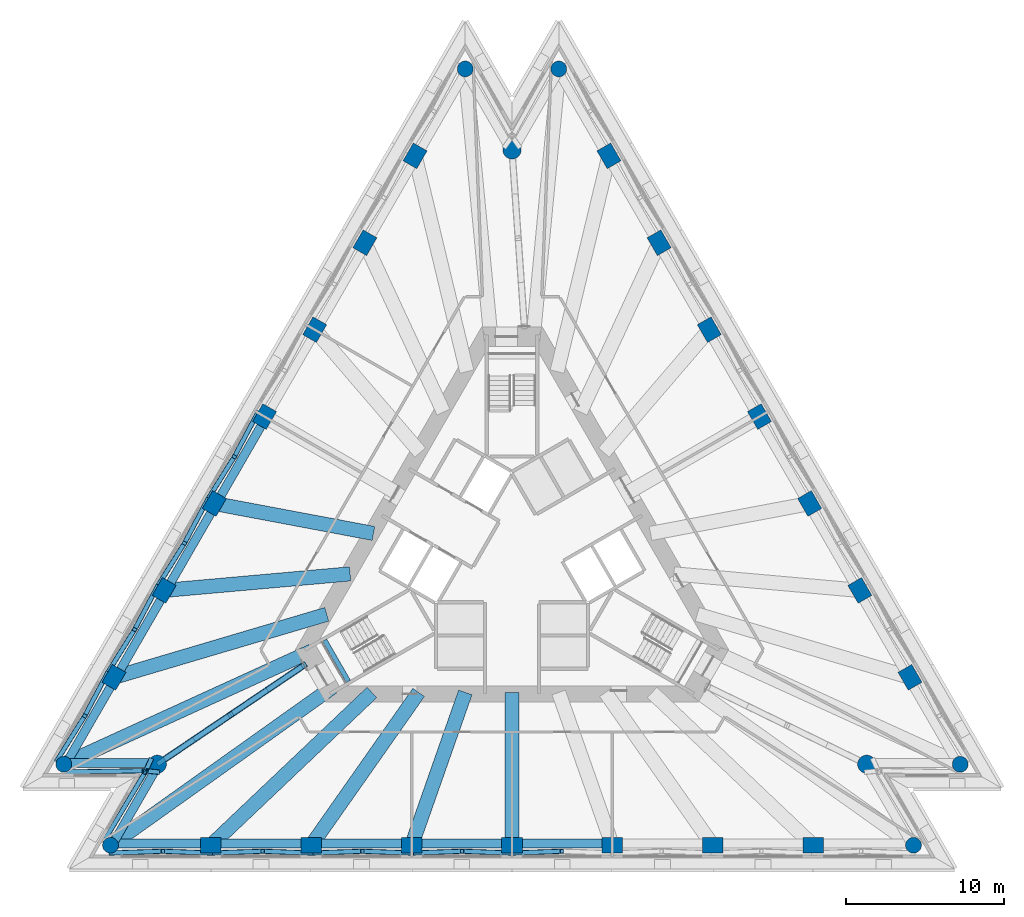
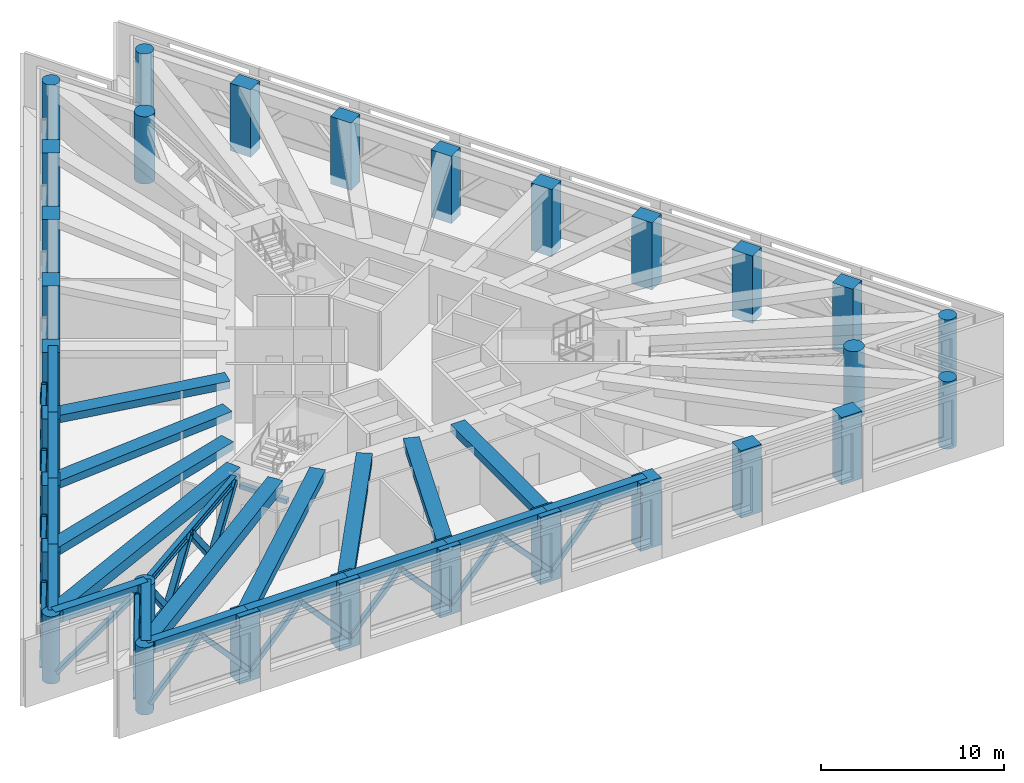
# One storey, part 1 of 12: 30 columns, 27 members, 21 beams.
"""IFC4 building model written with IfcOpenShell, lengths in metres."""

from ifc_helpers import new_model, si_unit, direction, frame, origin, origin_2d, place, context, subcontext, project, spatial, rectangle, hollow_rectangle, circle, i_section, extrude, material, material_profile, profile_set, type_object, element, save


model = new_model("IFC4")

# Units and contexts
model_context = context("Model", 3, precision=1e-05, world=origin(), true_north=direction((0.0, 1.0)))
body_context = subcontext(model_context, "Body", "Model", "MODEL_VIEW")
ifc_project = project(units=[si_unit("LENGTHUNIT", "METRE"), si_unit("AREAUNIT", "SQUARE_METRE"), si_unit("VOLUMEUNIT", "CUBIC_METRE"), si_unit("PLANEANGLEUNIT", "RADIAN"), si_unit("MASSUNIT", "GRAM", prefix="KILO")], contexts=[model_context])

# Site, building, storey
site_placement = place(None, origin())
site = spatial("IfcSite", under=ifc_project, at=site_placement, CompositionType="ELEMENT")
building_placement = place(site_placement, origin())
building = spatial("IfcBuilding", under=site, at=building_placement, Name="Triada Interchange Tower", CompositionType="ELEMENT")
storey_placement = place(building_placement, frame((0.0, 0.0, 180.800048828125)))
storey = spatial("IfcBuildingStorey", under=building, at=storey_placement, Name="L42", CompositionType="ELEMENT", Elevation=180.800048828125)

# Columns
ifc_material_1 = material(Name="Concrete C60/75", Category="concrete")
ifc_material_profile_1 = material_profile(ifc_material_1, rectangle(XDim=1.300048828125, YDim=1.0, at=origin_2d()), Name="RC 1300x1000")
ifc_profile_set_1 = profile_set([ifc_material_profile_1], Name="Concrete C60/75")
column_type_1 = type_object("IfcColumnType", Name="Column B face RC 1300x1000", PredefinedType="COLUMN", material=ifc_profile_set_1)
for number, where, z_axis, x_axis, name in (
    (1, (-6.1240234375, 25.4951171875, -0.60009765625), (0.0, 0.0, 1.0), (0.5, 0.866025403784, 0.0), "Column CB02 L42"),
    (2, (-9.29296875, 20.0048828125, -0.60009765625), (0.0, 0.0, 1.0), (0.5, 0.866025403784, 0.0), "Column CB03 L42"),
    (3, (-12.462890625, 14.514892578125, -0.60009765625), (0.0, 0.0, 1.0), (0.5, 0.866025403784, 0.0), "Column CB04 L42"),
    (4, (-15.632080078125, 9.02587890625, -0.60009765625), (0.0, 0.0, 1.0), (0.5, 0.866025403784, 0.0), "Column CB05 L42"),
    (5, (-18.802001953125, 3.535888671875, -0.60009765625), (0.0, 0.0, 1.0), (0.5, 0.866025403784, 0.0), "Column CB06 L42"),
    (6, (-21.971923828125, -1.9541015625, -0.60009765625), (0.0, 0.0, 1.0), (0.5, 0.866025403784, 0.0), "Column CB07 L42"),
    (7, (-25.14111328125, -7.444091796875, -0.60009765625), (0.0, 0.0, 1.0), (0.5, 0.866025403784, 0.0), "Column CB08 L42"),
    (8, (-19.01806640625, -18.051025390625, -0.60009765625), (0.0, 0.0, 1.0), (1.0, 0.0, 0.0), "Column CB11 L42"),
    (9, (-12.677978515625, -18.051025390625, -0.60009765625), (0.0, 0.0, 1.0), (1.0, 0.0, 0.0), "Column CB12 L42"),
    (10, (-6.339111328125, -18.051025390625, -0.60009765625), (0.0, 0.0, 1.0), (1.0, 0.0, 0.0), "Column CB13 L42"),
    (11, (0.0, -18.051025390625, -0.60009765625), (0.0, 0.0, 1.0), (1.0, 0.0, 0.0), "Column CB14 L42"),
    (12, (6.339111328125, -18.051025390625, -0.60009765625), (0.0, 0.0, 1.0), (1.0, 0.0, 0.0), "Column CB15 L42"),
    (13, (12.677978515625, -18.051025390625, -0.60009765625), (0.0, 0.0, 1.0), (1.0, 0.0, 0.0), "Column CB16 L42"),
    (14, (19.01806640625, -18.051025390625, -0.60009765625), (0.0, 0.0, 1.0), (1.0, 0.0, 0.0), "Column CB17 L42"),
    (15, (25.14111328125, -7.444091796875, -0.60009765625), (0.0, 0.0, 1.0), (-0.5, 0.866025403784, 0.0), "Column CB20 L42"),
    (16, (21.971923828125, -1.9541015625, -0.60009765625), (0.0, 0.0, 1.0), (-0.5, 0.866025403784, 0.0), "Column CB21 L42"),
    (17, (18.802001953125, 3.535888671875, -0.60009765625), (0.0, 0.0, 1.0), (-0.5, 0.866025403784, 0.0), "Column CB22 L42"),
    (18, (15.632080078125, 9.02587890625, -0.60009765625), (0.0, 0.0, 1.0), (-0.5, 0.866025403784, 0.0), "Column CB23 L42"),
    (19, (12.462890625, 14.514892578125, -0.60009765625), (0.0, 0.0, 1.0), (-0.5, 0.866025403784, 0.0), "Column CB24 L42"),
    (20, (9.29296875, 20.0048828125, -0.60009765625), (0.0, 0.0, 1.0), (-0.5, 0.866025403784, 0.0), "Column CB25 L42"),
    (21, (6.1240234375, 25.4951171875, -0.60009765625), (0.0, 0.0, 1.0), (-0.5, 0.866025403784, 0.0), "Column CB26 L42"),
):
    element("IfcColumn", number, at=place(storey_placement, frame(where, z_axis=z_axis, x_axis=x_axis)), inside=storey, type_object=column_type_1, Name=name, PredefinedType="COLUMN", context=body_context, shape_type="SweptSolid", body=[
        extrude(rectangle(XDim=1.300048828125, YDim=1.0, at=origin_2d()), origin(), (0.0, 0.0, 1.0), 4.5),
    ])
ifc_material_profile_2 = material_profile(ifc_material_1, circle(Radius=0.5, at=origin_2d()), Name="RC D1000")
ifc_profile_set_2 = profile_set([ifc_material_profile_2], Name="Concrete C60/75")
column_type_2 = type_object("IfcColumnType", Name="End column B RC D1000", PredefinedType="COLUMN", material=ifc_profile_set_2)
for number, where, z_axis, x_axis, name in (
    (22, (-2.9541015625, 30.985107421875, -0.60009765625), (0.0, 0.0, 1.0), (0.5, 0.866025403784, 0.0), "Column CB01 L42"),
    (23, (-28.31103515625, -12.93408203125, -0.60009765625), (0.0, 0.0, 1.0), (0.5, 0.866025403784, 0.0), "Column CB09 L42"),
    (24, (-25.35693359375, -18.051025390625, -0.60009765625), (0.0, 0.0, 1.0), (1.0, 0.0, 0.0), "Column CB10 L42"),
    (25, (25.35693359375, -18.051025390625, -0.60009765625), (0.0, 0.0, 1.0), (1.0, 0.0, 0.0), "Column CB18 L42"),
    (26, (28.31103515625, -12.93408203125, -0.60009765625), (0.0, 0.0, 1.0), (-0.5, 0.866025403784, 0.0), "Column CB19 L42"),
    (27, (2.9541015625, 30.985107421875, -0.60009765625), (0.0, 0.0, 1.0), (-0.5, 0.866025403784, 0.0), "Column CB27 L42"),
):
    element("IfcColumn", number, at=place(storey_placement, frame(where, z_axis=z_axis, x_axis=x_axis)), inside=storey, type_object=column_type_2, Name=name, PredefinedType="COLUMN", context=body_context, shape_type="SweptSolid", body=[
        extrude(circle(Radius=0.5, at=origin_2d()), origin(), (0.0, 0.0, 1.0), 4.5),
    ])
ifc_material_profile_3 = material_profile(ifc_material_1, circle(Radius=0.574951171875, at=origin_2d()), Name="RC D1150")
ifc_profile_set_3 = profile_set([ifc_material_profile_3], Name="Concrete C60/75")
column_type_3 = type_object("IfcColumnType", Name="Mega column B RC D1150", PredefinedType="COLUMN", material=ifc_profile_set_3)
for number, where, z_axis, x_axis, name in (
    (28, (0.0, 25.867919921875, -0.60009765625), (0.0, 0.0, 1.0), (1.0, 0.0, 0.0), "Column MB1 L42"),
    (29, (-22.403076171875, -12.93408203125, -0.60009765625), (0.0, 0.0, 1.0), (1.0, 0.0, 0.0), "Column MB2 L42"),
    (30, (22.403076171875, -12.93408203125, -0.60009765625), (0.0, 0.0, 1.0), (1.0, 0.0, 0.0), "Column MB3 L42"),
):
    element("IfcColumn", number, at=place(storey_placement, frame(where, z_axis=z_axis, x_axis=x_axis)), inside=storey, type_object=column_type_3, Name=name, PredefinedType="COLUMN", context=body_context, shape_type="SweptSolid", body=[
        extrude(circle(Radius=0.574951171875, at=origin_2d()), origin(), (0.0, 0.0, 1.0), 4.5),
    ])

# Members
ifc_material_2 = material(Name="Steel S355", Category="steel")
ifc_material_profile_4 = material_profile(ifc_material_2, hollow_rectangle(XDim=0.300048828125, YDim=0.300048828125, WallThickness=0.01611328125, InnerFilletRadius=0.01611328125, OuterFilletRadius=0.02392578125, at=origin_2d()), Name="RHS 300x300x16")
ifc_profile_set_4 = profile_set([ifc_material_profile_4], Name="Steel S355")
member_type_1 = type_object("IfcMemberType", Name="Belt truss diagonal RHS 300x300x16", PredefinedType="BRACE", material=ifc_profile_set_4)
member_1_placement = place(storey_placement, frame((-16.055908203125, 9.27099609375, 0.14990234375), z_axis=(-0.321985252002, -0.604962895595, 0.7282481668), x_axis=(0.882753493698, -0.469836428307, 0.0)))
element("IfcMember", 31, at=member_1_placement, inside=storey, type_object=member_type_1, Name="Belt truss diagonal 009 L42", PredefinedType="BRACE", context=body_context, shape_type="SweptSolid", body=[
    extrude(hollow_rectangle(XDim=0.300048828125, YDim=0.300048828125, WallThickness=0.01611328125, InnerFilletRadius=0.01611328125, OuterFilletRadius=0.02392578125, at=origin_2d()), origin(), (0.0, 0.0, 1.0), 4.60009765625),
])
member_2_placement = place(storey_placement, frame((-19.22607421875, 3.781005859375, 0.14990234375), z_axis=(0.36506939314, 0.585124231155, 0.724122898621), x_axis=(-0.848410718151, 0.529338505426, 0.0)))
element("IfcMember", 32, at=member_2_placement, inside=storey, type_object=member_type_1, Name="Belt truss diagonal 010 L42", PredefinedType="BRACE", context=body_context, shape_type="SweptSolid", body=[
    extrude(hollow_rectangle(XDim=0.300048828125, YDim=0.300048828125, WallThickness=0.01611328125, InnerFilletRadius=0.01611328125, OuterFilletRadius=0.02392578125, at=origin_2d()), origin(), (0.0, 0.0, 1.0), 4.62646484375),
])
member_3_placement = place(storey_placement, frame((-19.22607421875, 3.781005859375, 0.14990234375), z_axis=(-0.319411738601, -0.601245625602, 0.732447840422), x_axis=(0.883115719457, -0.469155225962, 0.0)))
element("IfcMember", 33, at=member_3_placement, inside=storey, type_object=member_type_1, Name="Belt truss diagonal 011 L42", PredefinedType="BRACE", context=body_context, shape_type="SweptSolid", body=[
    extrude(hollow_rectangle(XDim=0.300048828125, YDim=0.300048828125, WallThickness=0.01611328125, InnerFilletRadius=0.01611328125, OuterFilletRadius=0.02392578125, at=origin_2d()), origin(), (0.0, 0.0, 1.0), 4.57373046875),
])
member_4_placement = place(storey_placement, frame((-22.39599609375, -1.708984375, 0.14990234375), z_axis=(0.367278764267, 0.58885279591, 0.719971314753), x_axis=(-0.848486386736, 0.529217206375, 0.0)))
element("IfcMember", 34, at=member_4_placement, inside=storey, type_object=member_type_1, Name="Belt truss diagonal 012 L42", PredefinedType="BRACE", context=body_context, shape_type="SweptSolid", body=[
    extrude(hollow_rectangle(XDim=0.300048828125, YDim=0.300048828125, WallThickness=0.01611328125, InnerFilletRadius=0.01611328125, OuterFilletRadius=0.02392578125, at=origin_2d()), origin(), (0.0, 0.0, 1.0), 4.653076171875),
])
member_5_placement = place(storey_placement, frame((-22.39599609375, -1.708984375, 0.14990234375), z_axis=(-0.316885043696, -0.597313810762, 0.736749672924), x_axis=(0.883383908062, -0.46865005172, 0.0)))
element("IfcMember", 35, at=member_5_placement, inside=storey, type_object=member_type_1, Name="Belt truss diagonal 013 L42", PredefinedType="BRACE", context=body_context, shape_type="SweptSolid", body=[
    extrude(hollow_rectangle(XDim=0.300048828125, YDim=0.300048828125, WallThickness=0.01611328125, InnerFilletRadius=0.01611328125, OuterFilletRadius=0.02392578125, at=origin_2d()), origin(), (0.0, 0.0, 1.0), 4.547119140625),
])
member_6_placement = place(storey_placement, frame((-25.56494140625, -7.198974609375, 0.14990234375), z_axis=(0.369223993746, 0.592698928644, 0.715808369905), x_axis=(-0.84877799092, 0.528749394449, 0.0)))
element("IfcMember", 36, at=member_6_placement, inside=storey, type_object=member_type_1, Name="Belt truss diagonal 014 L42", PredefinedType="BRACE", context=body_context, shape_type="SweptSolid", body=[
    extrude(hollow_rectangle(XDim=0.300048828125, YDim=0.300048828125, WallThickness=0.01611328125, InnerFilletRadius=0.01611328125, OuterFilletRadius=0.02392578125, at=origin_2d()), origin(), (0.0, 0.0, 1.0), 4.68017578125),
])
member_7_placement = place(storey_placement, frame((-25.56494140625, -7.198974609375, 0.14990234375), z_axis=(-0.314558908092, -0.593260800737, 0.741008984864), x_axis=(0.883492360334, -0.468445566989, 0.0)))
element("IfcMember", 37, at=member_7_placement, inside=storey, type_object=member_type_1, Name="Belt truss diagonal 015 L42", PredefinedType="BRACE", context=body_context, shape_type="SweptSolid", body=[
    extrude(hollow_rectangle(XDim=0.300048828125, YDim=0.300048828125, WallThickness=0.01611328125, InnerFilletRadius=0.01611328125, OuterFilletRadius=0.02392578125, at=origin_2d()), origin(), (0.0, 0.0, 1.0), 4.52099609375),
])
member_8_placement = place(storey_placement, frame((-28.735107421875, -12.68896484375, 0.14990234375), z_axis=(0.371312618373, 0.596433858088, 0.71161337281), x_axis=(-0.848930026825, 0.528505259723, 0.0)))
element("IfcMember", 38, at=member_8_placement, inside=storey, type_object=member_type_1, Name="Belt truss diagonal 016 L42", PredefinedType="BRACE", context=body_context, shape_type="SweptSolid", body=[
    extrude(hollow_rectangle(XDim=0.300048828125, YDim=0.300048828125, WallThickness=0.01611328125, InnerFilletRadius=0.01611328125, OuterFilletRadius=0.02392578125, at=origin_2d()), origin(), (0.0, 0.0, 1.0), 4.707763671875),
])
member_9_placement = place(storey_placement, frame((-28.31103515625, -13.424072265625, 0.14990234375), z_axis=(0.835339670984, 0.013136664529, 0.54957716667), x_axis=(-0.015724190845, 0.999876367269, 0.0)))
element("IfcMember", 39, at=member_9_placement, inside=storey, type_object=member_type_1, Name="Belt truss diagonal 017 L42", PredefinedType="BRACE", context=body_context, shape_type="SweptSolid", body=[
    extrude(hollow_rectangle(XDim=0.300048828125, YDim=0.300048828125, WallThickness=0.01611328125, InnerFilletRadius=0.01611328125, OuterFilletRadius=0.02392578125, at=origin_2d()), origin(), (0.0, 0.0, 1.0), 6.095703125),
])
for number, where, z_axis, x_axis, name in (
    (40, (-22.403076171875, -13.424072265625, 0.14990234375), (-0.236569634936, 0.023218085057, 0.971337082764), (-0.097675525689, -0.995218313578, 0.0), "Belt truss diagonal 018 L42"),
    (41, (-22.826904296875, -12.68896484375, 0.14990234375), (-0.098318894237, -0.216598859874, 0.97129724026), (0.910580365335, -0.413332067794, 0.0), "Belt truss diagonal 019 L42"),
):
    element("IfcMember", number, at=place(storey_placement, frame(where, z_axis=z_axis, x_axis=x_axis)), inside=storey, type_object=member_type_1, Name=name, PredefinedType="BRACE", context=body_context, shape_type="SweptSolid", body=[
        extrude(hollow_rectangle(XDim=0.300048828125, YDim=0.300048828125, WallThickness=0.01611328125, InnerFilletRadius=0.01611328125, OuterFilletRadius=0.02392578125, at=origin_2d()), origin(), (0.0, 0.0, 1.0), 3.448974609375),
    ])
member_10_placement = place(storey_placement, frame((-25.781005859375, -17.805908203125, 0.14990234375), z_axis=(0.428991864848, 0.716882213511, 0.549587001162), x_axis=(-0.85809301178, 0.513494287344, 0.0)))
element("IfcMember", 42, at=member_10_placement, inside=storey, type_object=member_type_1, Name="Belt truss diagonal 020 L42", PredefinedType="BRACE", context=body_context, shape_type="SweptSolid", body=[
    extrude(hollow_rectangle(XDim=0.300048828125, YDim=0.300048828125, WallThickness=0.01611328125, InnerFilletRadius=0.01611328125, OuterFilletRadius=0.02392578125, at=origin_2d()), origin(), (0.0, 0.0, 1.0), 6.095703125),
])
member_11_placement = place(storey_placement, frame((-25.35693359375, -18.541015625, 0.14990234375), z_axis=(0.702204667153, 0.023387807761, 0.711590904858), x_axis=(-0.033287797008, 0.999445807721, 0.0)))
element("IfcMember", 43, at=member_11_placement, inside=storey, type_object=member_type_1, Name="Belt truss diagonal 021 L42", PredefinedType="BRACE", context=body_context, shape_type="SweptSolid", body=[
    extrude(hollow_rectangle(XDim=0.300048828125, YDim=0.300048828125, WallThickness=0.01611328125, InnerFilletRadius=0.01611328125, OuterFilletRadius=0.02392578125, at=origin_2d()), origin(), (0.0, 0.0, 1.0), 4.7080078125),
])
member_12_placement = place(storey_placement, frame((-19.01806640625, -18.541015625, 0.14990234375), z_axis=(-0.670947574384, 0.024357832733, 0.741104613676), x_axis=(-0.036279730735, -0.999341673872, 0.0)))
element("IfcMember", 44, at=member_12_placement, inside=storey, type_object=member_type_1, Name="Belt truss diagonal 022 L42", PredefinedType="BRACE", context=body_context, shape_type="SweptSolid", body=[
    extrude(hollow_rectangle(XDim=0.300048828125, YDim=0.300048828125, WallThickness=0.01611328125, InnerFilletRadius=0.01611328125, OuterFilletRadius=0.02392578125, at=origin_2d()), origin(), (0.0, 0.0, 1.0), 4.5205078125),
])
member_13_placement = place(storey_placement, frame((-19.01806640625, -18.541015625, 0.14990234375), z_axis=(0.698095477307, 0.023520174829, 0.715618268311), x_axis=(-0.033672810583, 0.999432910118, 0.0)))
element("IfcMember", 45, at=member_13_placement, inside=storey, type_object=member_type_1, Name="Belt truss diagonal 023 L42", PredefinedType="BRACE", context=body_context, shape_type="SweptSolid", body=[
    extrude(hollow_rectangle(XDim=0.300048828125, YDim=0.300048828125, WallThickness=0.01611328125, InnerFilletRadius=0.01611328125, OuterFilletRadius=0.02392578125, at=origin_2d()), origin(), (0.0, 0.0, 1.0), 4.681396484375),
])
member_14_placement = place(storey_placement, frame((-12.677978515625, -18.541015625, 0.14990234375), z_axis=(-0.675657748194, 0.024216931132, 0.73681758092), x_axis=(-0.035819009006, -0.999358293403, 0.0)))
element("IfcMember", 46, at=member_14_placement, inside=storey, type_object=member_type_1, Name="Belt truss diagonal 024 L42", PredefinedType="BRACE", context=body_context, shape_type="SweptSolid", body=[
    extrude(hollow_rectangle(XDim=0.300048828125, YDim=0.300048828125, WallThickness=0.01611328125, InnerFilletRadius=0.01611328125, OuterFilletRadius=0.02392578125, at=origin_2d()), origin(), (0.0, 0.0, 1.0), 4.546630859375),
])
member_15_placement = place(storey_placement, frame((-12.677978515625, -18.541015625, 0.14990234375), z_axis=(0.6936712802, 0.023661000406, 0.719902987968), x_axis=(-0.034089991232, 0.999418767333, 0.0)))
element("IfcMember", 47, at=member_15_placement, inside=storey, type_object=member_type_1, Name="Belt truss diagonal 025 L42", PredefinedType="BRACE", context=body_context, shape_type="SweptSolid", body=[
    extrude(hollow_rectangle(XDim=0.300048828125, YDim=0.300048828125, WallThickness=0.01611328125, InnerFilletRadius=0.01611328125, OuterFilletRadius=0.02392578125, at=origin_2d()), origin(), (0.0, 0.0, 1.0), 4.653564453125),
])
member_16_placement = place(storey_placement, frame((-6.339111328125, -18.541015625, 0.14990234375), z_axis=(-0.680257927554, 0.02407756438, 0.732577247049), x_axis=(-0.035372607226, -0.999374193512, 0.0)))
element("IfcMember", 48, at=member_16_placement, inside=storey, type_object=member_type_1, Name="Belt truss diagonal 026 L42", PredefinedType="BRACE", context=body_context, shape_type="SweptSolid", body=[
    extrude(hollow_rectangle(XDim=0.300048828125, YDim=0.300048828125, WallThickness=0.01611328125, InnerFilletRadius=0.01611328125, OuterFilletRadius=0.02392578125, at=origin_2d()), origin(), (0.0, 0.0, 1.0), 4.572998046875),
])
member_17_placement = place(storey_placement, frame((-6.339111328125, -18.541015625, 0.14990234375), z_axis=(0.689305671041, 0.023798274335, 0.724079646178), x_axis=(-0.034504436166, 0.999404544659, 0.0)))
element("IfcMember", 49, at=member_17_placement, inside=storey, type_object=member_type_1, Name="Belt truss diagonal 027 L42", PredefinedType="BRACE", context=body_context, shape_type="SweptSolid", body=[
    extrude(hollow_rectangle(XDim=0.300048828125, YDim=0.300048828125, WallThickness=0.01611328125, InnerFilletRadius=0.01611328125, OuterFilletRadius=0.02392578125, at=origin_2d()), origin(), (0.0, 0.0, 1.0), 4.626708984375),
])
for number, where, z_axis, x_axis, name in (
    (50, (0.0, -18.541015625, 0.14990234375), (-0.684807292382, 0.023938000997, 0.728330930559), (-0.034934483932, -0.999389604625, 0.0), "Belt truss diagonal 028 L42"),
    (51, (0.0, -18.541015625, 0.14990234375), (0.684807292382, 0.023938000997, 0.728330930559), (-0.034934483932, 0.999389604625, 0.0), "Belt truss diagonal 029 L42"),
):
    element("IfcMember", number, at=place(storey_placement, frame(where, z_axis=z_axis, x_axis=x_axis)), inside=storey, type_object=member_type_1, Name=name, PredefinedType="BRACE", context=body_context, shape_type="SweptSolid", body=[
        extrude(hollow_rectangle(XDim=0.300048828125, YDim=0.300048828125, WallThickness=0.01611328125, InnerFilletRadius=0.01611328125, OuterFilletRadius=0.02392578125, at=origin_2d()), origin(), (0.0, 0.0, 1.0), 4.599609375),
    ])

# Beam
ifc_material_3 = material(Name="Concrete C35/45", Category="concrete")
ifc_material_profile_5 = material_profile(ifc_material_3, rectangle(XDim=0.300048828125, YDim=0.300048828125, at=origin_2d()), Name="RC 300x300")
ifc_profile_set_5 = profile_set([ifc_material_profile_5], Name="Concrete C35/45")
beam_type_1 = type_object("IfcBeamType", Name="Landing support beam RC 300x300", PredefinedType="BEAM", material=ifc_profile_set_5)
beam_1_placement = place(storey_placement, frame((-11.8349609375, -5.10107421875, 1.822265625), z_axis=(0.50002537861, -0.866010750942, 0.0), x_axis=(0.866010750942, 0.50002537861, 0.0)))
element("IfcBeam", 52, at=beam_1_placement, inside=storey, type_object=beam_type_1, Name="Landing support beam S42-2 1", PredefinedType="BEAM", context=body_context, shape_type="SweptSolid", body=[
    extrude(rectangle(XDim=0.300048828125, YDim=0.300048828125, at=origin_2d()), origin(), (0.0, 0.0, 1.0), 2.999755859375),
])

# Members
ifc_material_4 = material(Name="Steel S460M", Category="steel")
ifc_material_profile_6 = material_profile(ifc_material_4, i_section(OverallWidth=0.305908203125, OverallDepth=0.52392578125, WebThickness=0.02099609375, FlangeThickness=0.0400390625, FilletRadius=0.027099609375, at=origin_2d()), Name="HEM 500")
ifc_profile_set_6 = profile_set([ifc_material_profile_6], Name="Steel S460M")
member_type_2 = type_object("IfcMemberType", Name="Outrigger chord HEM 500", PredefinedType="CHORD", material=ifc_profile_set_6)
for number, where, z_axis, x_axis, name in (
    (53, (-13.137939453125, -6.680908203125, 0.261962890625), (-0.828881589497, -0.559424088321, 0.0), (0.559424088321, -0.828881589497, 0.0), "Outrigger bottom chord SW L42"),
    (54, (-13.137939453125, -6.680908203125, 3.637939453125), (-0.828881589497, -0.559424088321, 0.0), (0.559424088321, -0.828881589497, 0.0), "Outrigger top chord SW L42"),
):
    element("IfcMember", number, at=place(storey_placement, frame(where, z_axis=z_axis, x_axis=x_axis)), inside=storey, type_object=member_type_2, Name=name, PredefinedType="CHORD", context=body_context, shape_type="SweptSolid", body=[
        extrude(i_section(OverallWidth=0.305908203125, OverallDepth=0.52392578125, WebThickness=0.02099609375, FlangeThickness=0.0400390625, FilletRadius=0.027099609375, at=origin_2d()), origin(), (0.0, 0.0, 1.0), 11.177978515625),
    ])
ifc_material_profile_7 = material_profile(ifc_material_2, hollow_rectangle(XDim=0.39990234375, YDim=0.39990234375, WallThickness=0.02001953125, InnerFilletRadius=0.02001953125, OuterFilletRadius=0.030029296875, at=origin_2d()), Name="RHS 400x400x20")
ifc_profile_set_7 = profile_set([ifc_material_profile_7], Name="Steel S355")
member_type_3 = type_object("IfcMemberType", Name="Outrigger diagonal RHS 400x400x20", PredefinedType="BRACE", material=ifc_profile_set_7)
member_18_placement = place(storey_placement, frame((-13.137939453125, -6.680908203125, 3.637939453125), z_axis=(-0.528523794165, -0.356657460762, -0.770362287943), x_axis=(0.559369307203, -0.828918559425, 0.0)))
element("IfcMember", 55, at=member_18_placement, inside=storey, type_object=member_type_3, Name="Outrigger diagonal SW 1 L42", PredefinedType="BRACE", context=body_context, shape_type="SweptSolid", body=[
    extrude(hollow_rectangle(XDim=0.39990234375, YDim=0.39990234375, WallThickness=0.02001953125, InnerFilletRadius=0.02001953125, OuterFilletRadius=0.030029296875, at=origin_2d()), origin(), (0.0, 0.0, 1.0), 4.38232421875),
])
member_19_placement = place(storey_placement, frame((-15.4541015625, -8.243896484375, 0.261962890625), z_axis=(-0.528431124752, -0.356911049577, 0.770308411666), x_axis=(0.55970989079, -0.828688625571, 0.0)))
element("IfcMember", 56, at=member_19_placement, inside=storey, type_object=member_type_3, Name="Outrigger diagonal SW 2 L42", PredefinedType="BRACE", context=body_context, shape_type="SweptSolid", body=[
    extrude(hollow_rectangle(XDim=0.39990234375, YDim=0.39990234375, WallThickness=0.02001953125, InnerFilletRadius=0.02001953125, OuterFilletRadius=0.030029296875, at=origin_2d()), origin(), (0.0, 0.0, 1.0), 4.382568359375),
])
member_20_placement = place(storey_placement, frame((-17.77001953125, -9.80810546875, 3.637939453125), z_axis=(-0.528644223236, -0.356625955443, -0.770294238031), x_axis=(0.559247788861, -0.829000549249, 0.0)))
element("IfcMember", 57, at=member_20_placement, inside=storey, type_object=member_type_3, Name="Outrigger diagonal SW 3 L42", PredefinedType="BRACE", context=body_context, shape_type="SweptSolid", body=[
    extrude(hollow_rectangle(XDim=0.39990234375, YDim=0.39990234375, WallThickness=0.02001953125, InnerFilletRadius=0.02001953125, OuterFilletRadius=0.030029296875, at=origin_2d()), origin(), (0.0, 0.0, 1.0), 4.3828125),
])
member_21_placement = place(storey_placement, frame((-20.0869140625, -11.37109375, 0.261962890625), z_axis=(-0.528523794165, -0.356657460762, 0.770362287943), x_axis=(0.559369307203, -0.828918559425, 0.0)))
element("IfcMember", 58, at=member_21_placement, inside=storey, type_object=member_type_3, Name="Outrigger diagonal SW 4 L42", PredefinedType="BRACE", context=body_context, shape_type="SweptSolid", body=[
    extrude(hollow_rectangle(XDim=0.39990234375, YDim=0.39990234375, WallThickness=0.02001953125, InnerFilletRadius=0.02001953125, OuterFilletRadius=0.030029296875, at=origin_2d()), origin(), (0.0, 0.0, 1.0), 4.38232421875),
])

# Beams
ifc_material_5 = material(Name="Concrete C50/60", Category="concrete")
ifc_material_profile_8 = material_profile(ifc_material_5, rectangle(XDim=0.89990234375, YDim=0.5, at=origin_2d()), Name="RC 900x500")
ifc_profile_set_8 = profile_set([ifc_material_profile_8], Name="Concrete C50/60")
beam_type_2 = type_object("IfcBeamType", Name="Radial band beam B RC 900x500", PredefinedType="BEAM", material=ifc_profile_set_8)
beam_2_placement = place(storey_placement, frame((-18.68798828125, 3.513916015625, 3.64990234375), z_axis=(0.982773103713, -0.184816196849, 0.0), x_axis=(0.184816196849, 0.982773103713, 0.0)))
element("IfcBeam", 59, at=beam_2_placement, inside=storey, type_object=beam_type_2, Name="Radial band beam BB06 L43", PredefinedType="BEAM", context=body_context, shape_type="SweptSolid", body=[
    extrude(rectangle(XDim=0.89990234375, YDim=0.5, at=origin_2d()), origin(), (0.0, 0.0, 1.0), 10.1123046875),
])
beam_3_placement = place(storey_placement, frame((-21.837890625, -1.94189453125, 3.64990234375), z_axis=(0.996067920053, 0.088592881433, 0.0), x_axis=(-0.088592881433, 0.996067920053, 0.0)))
element("IfcBeam", 60, at=beam_3_placement, inside=storey, type_object=beam_type_2, Name="Radial band beam BB07 L43", PredefinedType="BEAM", context=body_context, shape_type="SweptSolid", body=[
    extrude(rectangle(XDim=0.89990234375, YDim=0.5, at=origin_2d()), origin(), (0.0, 0.0, 1.0), 11.65966796875),
])
beam_4_placement = place(storey_placement, frame((-12.60009765625, -17.94091796875, 3.64990234375), z_axis=(0.574754555012, 0.818325852881, 0.0), x_axis=(-0.818325852881, 0.574754555012, 0.0)))
element("IfcBeam", 61, at=beam_4_placement, inside=storey, type_object=beam_type_2, Name="Radial band beam BB13 L43", PredefinedType="BEAM", context=body_context, shape_type="SweptSolid", body=[
    extrude(rectangle(XDim=0.89990234375, YDim=0.5, at=origin_2d()), origin(), (0.0, 0.0, 1.0), 11.6591796875),
])
beam_5_placement = place(storey_placement, frame((-6.300048828125, -17.94091796875, 3.64990234375), z_axis=(0.331296639516, 0.943526648614, 0.0), x_axis=(-0.943526648614, 0.331296639516, 0.0)))
element("IfcBeam", 62, at=beam_5_placement, inside=storey, type_object=beam_type_2, Name="Radial band beam BB14 L43", PredefinedType="BEAM", context=body_context, shape_type="SweptSolid", body=[
    extrude(rectangle(XDim=0.89990234375, YDim=0.5, at=origin_2d()), origin(), (0.0, 0.0, 1.0), 10.112060546875),
])
beam_6_placement = place(storey_placement, frame((0.0, -17.94091796875, 3.64990234375), z_axis=(0.0, 1.0, 0.0), x_axis=(-1.0, 0.0, 0.0)))
element("IfcBeam", 63, at=beam_6_placement, inside=storey, type_object=beam_type_2, Name="Radial band beam BB15 L43", PredefinedType="BEAM", context=body_context, shape_type="SweptSolid", body=[
    extrude(rectangle(XDim=0.89990234375, YDim=0.5, at=origin_2d()), origin(), (0.0, 0.0, 1.0), 9.541015625),
])
ifc_material_profile_9 = material_profile(ifc_material_5, rectangle(XDim=0.89990234375, YDim=0.550048828125, at=origin_2d()), Name="RC 900x550")
ifc_profile_set_9 = profile_set([ifc_material_profile_9], Name="Concrete C50/60")
beam_type_3 = type_object("IfcBeamType", Name="Radial band beam B RC 900x550", PredefinedType="BEAM", material=ifc_profile_set_9)
beam_7_placement = place(storey_placement, frame((-24.988037109375, -7.39794921875, 3.625), z_axis=(0.95887005621, 0.283845407402, 0.0), x_axis=(-0.283845407402, 0.95887005621, 0.0)))
element("IfcBeam", 64, at=beam_7_placement, inside=storey, type_object=beam_type_3, Name="Radial band beam BB08 L43", PredefinedType="BEAM", context=body_context, shape_type="SweptSolid", body=[
    extrude(rectangle(XDim=0.89990234375, YDim=0.550048828125, at=origin_2d()), origin(), (0.0, 0.0, 1.0), 13.859130859375),
])
beam_8_placement = place(storey_placement, frame((-18.90087890625, -17.94091796875, 3.625), z_axis=(0.725293171176, 0.688440132361, 0.0), x_axis=(-0.688440132361, 0.725293171176, 0.0)))
element("IfcBeam", 65, at=beam_8_placement, inside=storey, type_object=beam_type_3, Name="Radial band beam BB12 L43", PredefinedType="BEAM", context=body_context, shape_type="SweptSolid", body=[
    extrude(rectangle(XDim=0.89990234375, YDim=0.550048828125, at=origin_2d()), origin(), (0.0, 0.0, 1.0), 13.85888671875),
])
ifc_material_profile_10 = material_profile(ifc_material_5, rectangle(XDim=0.89990234375, YDim=0.699951171875, at=origin_2d()), Name="RC 900x700")
ifc_profile_set_10 = profile_set([ifc_material_profile_10], Name="Concrete C50/60")
beam_type_4 = type_object("IfcBeamType", Name="Radial band beam B RC 900x700", PredefinedType="BEAM", material=ifc_profile_set_10)
for number, where, z_axis, x_axis, name in (
    (66, (-28.137939453125, -12.85400390625, 3.550048828125), (0.909583375052, 0.415521460131, 0.0), (-0.415521460131, 0.909583375052, 0.0), "Radial band beam BB09 L43"),
    (67, (-25.200927734375, -17.94091796875, 3.550048828125), (0.814653099064, 0.5799485565, 0.0), (-0.5799485565, 0.814653099064, 0.0), "Radial band beam BB11 L43"),
):
    element("IfcBeam", number, at=place(storey_placement, frame(where, z_axis=z_axis, x_axis=x_axis)), inside=storey, type_object=beam_type_4, Name=name, PredefinedType="BEAM", context=body_context, shape_type="SweptSolid", body=[
        extrude(rectangle(XDim=0.89990234375, YDim=0.699951171875, at=origin_2d()), origin(), (0.0, 0.0, 1.0), 17.02197265625),
    ])
ifc_material_profile_11 = material_profile(ifc_material_5, rectangle(XDim=0.550048828125, YDim=0.800048828125, at=origin_2d()), Name="RC 550x800")
ifc_profile_set_11 = profile_set([ifc_material_profile_11], Name="Concrete C50/60")
beam_type_5 = type_object("IfcBeamType", Name="Spandrel beam B RC 550x800", PredefinedType="BEAM", material=ifc_profile_set_11)
beam_9_placement = place(storey_placement, frame((-15.5380859375, 8.970947265625, 3.5), z_axis=(-0.499914757397, -0.866074613031, 0.0), x_axis=(0.866074613031, -0.499914757397, 0.0)))
element("IfcBeam", 68, at=beam_9_placement, inside=storey, type_object=beam_type_5, Name="Spandrel beam EB05 L43", PredefinedType="BEAM", context=body_context, shape_type="SweptSolid", body=[
    extrude(rectangle(XDim=0.550048828125, YDim=0.800048828125, at=origin_2d()), origin(), (0.0, 0.0, 1.0), 6.30078125),
])
beam_10_placement = place(storey_placement, frame((-18.68798828125, 3.513916015625, 3.5), z_axis=(-0.499998649469, -0.866026183513, 0.0), x_axis=(0.866026183513, -0.499998649469, 0.0)))
element("IfcBeam", 69, at=beam_10_placement, inside=storey, type_object=beam_type_5, Name="Spandrel beam EB06 L43", PredefinedType="BEAM", context=body_context, shape_type="SweptSolid", body=[
    extrude(rectangle(XDim=0.550048828125, YDim=0.800048828125, at=origin_2d()), origin(), (0.0, 0.0, 1.0), 6.2998046875),
])
for number, where, z_axis, x_axis, name in (
    (70, (-21.837890625, -1.94189453125, 3.5), (-0.500010933242, -0.866019091382, 0.0), (0.866019091382, -0.500010933242, 0.0), "Spandrel beam EB07 L43"),
    (71, (-24.988037109375, -7.39794921875, 3.5), (-0.499981869177, -0.866035871367, 0.0), (0.866035871367, -0.499981869177, 0.0), "Spandrel beam EB08 L43"),
):
    element("IfcBeam", number, at=place(storey_placement, frame(where, z_axis=z_axis, x_axis=x_axis)), inside=storey, type_object=beam_type_5, Name=name, PredefinedType="BEAM", context=body_context, shape_type="SweptSolid", body=[
        extrude(rectangle(XDim=0.550048828125, YDim=0.800048828125, at=origin_2d()), origin(), (0.0, 0.0, 1.0), 6.300048828125),
    ])
for number, where, z_axis, x_axis, name in (
    (72, (-28.137939453125, -12.85400390625, 3.5), (1.0, 0.0, 0.0), (0.0, 1.0, 0.0), "Spandrel beam EB09 L43"),
    (73, (-22.263916015625, -12.85400390625, 3.5), (-0.500010280449, -0.866019468283, 0.0), (0.866019468283, -0.500010280449, 0.0), "Spandrel beam EB10 L43"),
):
    element("IfcBeam", number, at=place(storey_placement, frame(where, z_axis=z_axis, x_axis=x_axis)), inside=storey, type_object=beam_type_5, Name=name, PredefinedType="BEAM", context=body_context, shape_type="SweptSolid", body=[
        extrude(rectangle(XDim=0.550048828125, YDim=0.800048828125, at=origin_2d()), origin(), (0.0, 0.0, 1.0), 5.8740234375),
    ])
beam_11_placement = place(storey_placement, frame((-25.200927734375, -17.94091796875, 3.5), z_axis=(1.0, 0.0, 0.0), x_axis=(0.0, 1.0, 0.0)))
element("IfcBeam", 74, at=beam_11_placement, inside=storey, type_object=beam_type_5, Name="Spandrel beam EB11 L43", PredefinedType="BEAM", context=body_context, shape_type="SweptSolid", body=[
    extrude(rectangle(XDim=0.550048828125, YDim=0.800048828125, at=origin_2d()), origin(), (0.0, 0.0, 1.0), 6.300048828125),
])
beam_12_placement = place(storey_placement, frame((-18.90087890625, -17.94091796875, 3.5), z_axis=(1.0, 0.0, 0.0), x_axis=(0.0, 1.0, 0.0)))
element("IfcBeam", 75, at=beam_12_placement, inside=storey, type_object=beam_type_5, Name="Spandrel beam EB12 L43", PredefinedType="BEAM", context=body_context, shape_type="SweptSolid", body=[
    extrude(rectangle(XDim=0.550048828125, YDim=0.800048828125, at=origin_2d()), origin(), (0.0, 0.0, 1.0), 6.30078125),
])
for number, where, z_axis, x_axis, name in (
    (76, (-12.60009765625, -17.94091796875, 3.5), (1.0, 0.0, 0.0), (0.0, 1.0, 0.0), "Spandrel beam EB13 L43"),
    (77, (-6.300048828125, -17.94091796875, 3.5), (1.0, 0.0, 0.0), (0.0, 1.0, 0.0), "Spandrel beam EB14 L43"),
    (78, (0.0, -17.94091796875, 3.5), (1.0, 0.0, 0.0), (0.0, 1.0, 0.0), "Spandrel beam EB15 L43"),
):
    element("IfcBeam", number, at=place(storey_placement, frame(where, z_axis=z_axis, x_axis=x_axis)), inside=storey, type_object=beam_type_5, Name=name, PredefinedType="BEAM", context=body_context, shape_type="SweptSolid", body=[
        extrude(rectangle(XDim=0.550048828125, YDim=0.800048828125, at=origin_2d()), origin(), (0.0, 0.0, 1.0), 6.300048828125),
    ])

save(model, "model.ifc")
